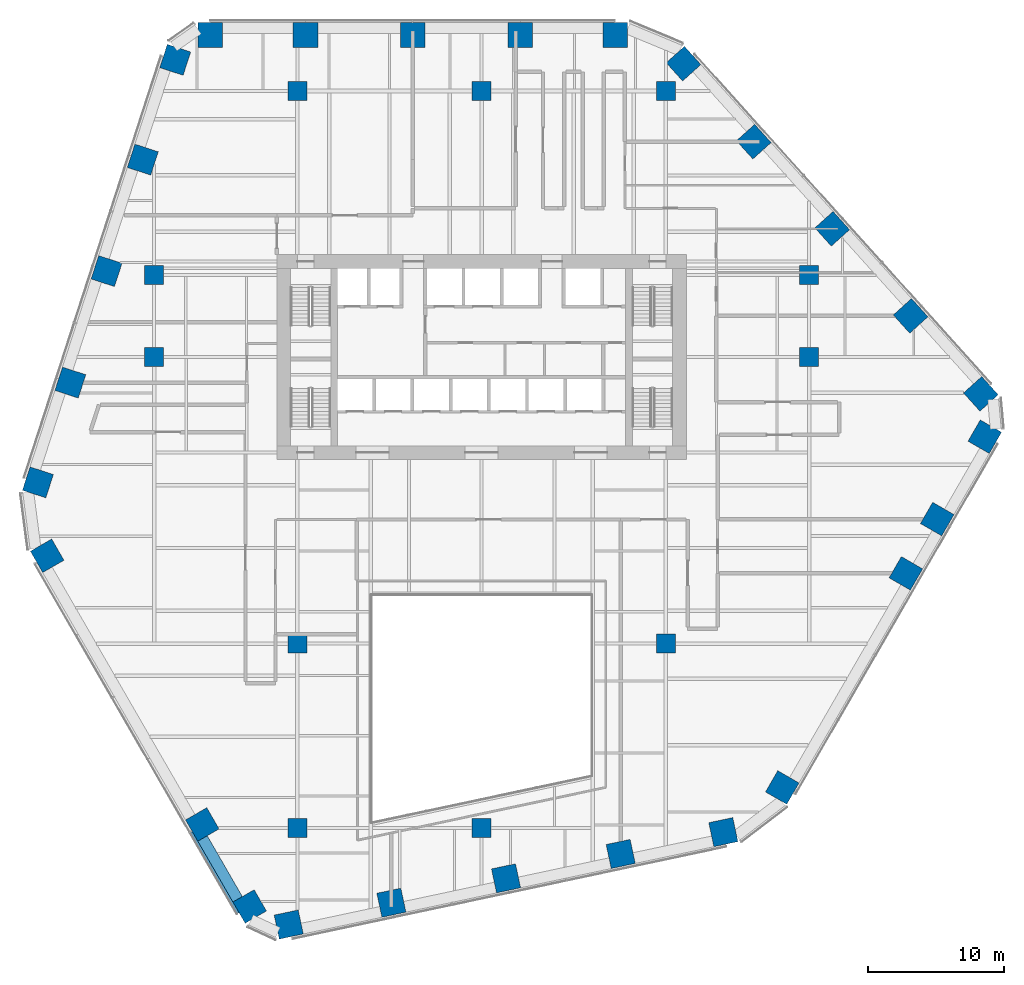
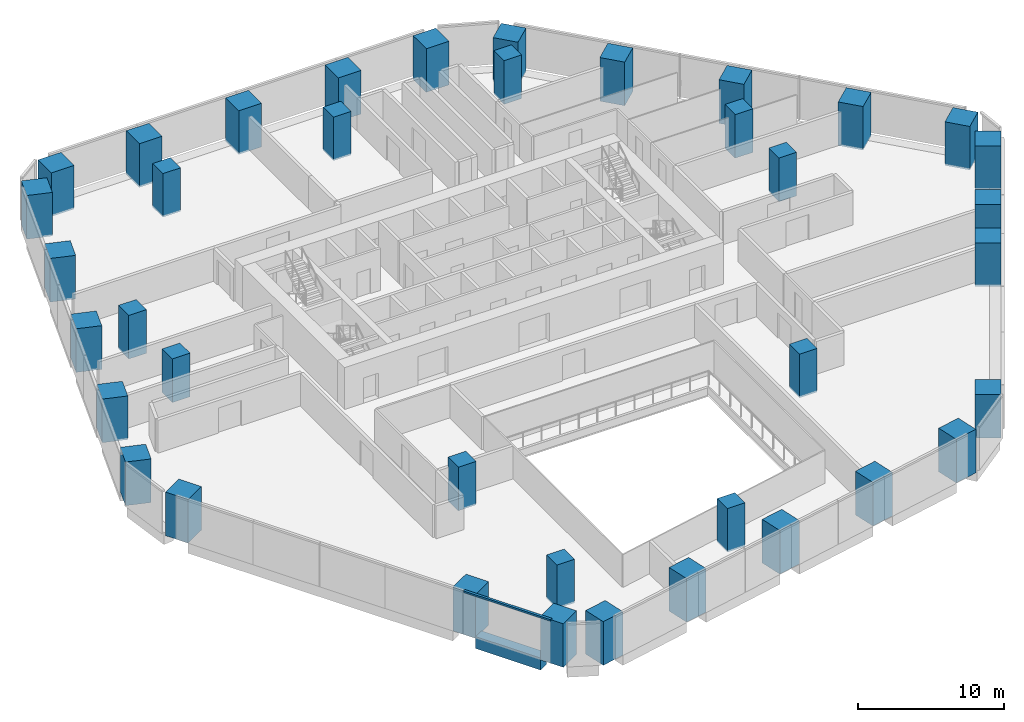
# One storey, part 1 of 21: 38 columns, 1 beam, 1 member, 1 element without a shape of its own.
"""IFC4 building model written with IfcOpenShell, lengths in metres."""

from ifc_helpers import new_model, si_unit, direction, frame, origin, origin_2d, place, context, subcontext, project, spatial, rectangle, extrude, material, layer, layer_set, material_profile, profile_set, type_object, element, aggregate, save


model = new_model("IFC4")

# Units and contexts
model_context = context("Model", 3, precision=1e-05, world=origin(), true_north=direction((0.0, 1.0)))
body_context = subcontext(model_context, "Body", "Model", "MODEL_VIEW")
ifc_project = project(units=[si_unit("LENGTHUNIT", "METRE"), si_unit("AREAUNIT", "SQUARE_METRE"), si_unit("VOLUMEUNIT", "CUBIC_METRE"), si_unit("PLANEANGLEUNIT", "RADIAN"), si_unit("MASSUNIT", "GRAM", prefix="KILO")], contexts=[model_context])

# Site, building, storey
site_placement = place(None, origin())
site = spatial("IfcSite", under=ifc_project, at=site_placement, CompositionType="ELEMENT")
building_placement = place(site_placement, origin())
building = spatial("IfcBuilding", under=site, at=building_placement, Name="Isthmus Gate Tower", CompositionType="ELEMENT")
storey_placement = place(building_placement, frame((0.0, 0.0, 46.949951171875)))
storey = spatial("IfcBuildingStorey", under=building, at=storey_placement, Name="L09", CompositionType="ELEMENT", Elevation=46.949951171875)

# Columns
ifc_material_1 = material(Name="Concrete f'c 70 MPa", Category="concrete")
ifc_material_profile_1 = material_profile(ifc_material_1, rectangle(XDim=1.39990234375, YDim=1.39990234375, at=origin_2d()), Name="RC 1400X1400")
ifc_profile_set_1 = profile_set([ifc_material_profile_1], Name="Concrete f'c 70 MPa")
column_type_1 = type_object("IfcColumnType", Name="RC INTERIOR COLUMN 1400 X 1400", PredefinedType="COLUMN", material=ifc_profile_set_1)
for number, where, z_axis, x_axis, name in (
    (1, (-24.0, 7.5, -0.14990234375), (0.0, 0.0, 1.0), (1.0, 0.0, 0.0), "str-icol-L09-ICA3"),
    (2, (-24.0, 13.5, -0.14990234375), (0.0, 0.0, 1.0), (1.0, 0.0, 0.0), "str-icol-L09-ICA4"),
    (3, (-13.5, -27.0, -0.14990234375), (0.0, 0.0, 1.0), (1.0, 0.0, 0.0), "str-icol-L09-ICB1"),
    (4, (-13.5, -13.5, -0.14990234375), (0.0, 0.0, 1.0), (1.0, 0.0, 0.0), "str-icol-L09-ICB2"),
    (5, (-13.5, 27.0, -0.14990234375), (0.0, 0.0, 1.0), (1.0, 0.0, 0.0), "str-icol-L09-ICB5"),
    (6, (0.0, -27.0, -0.14990234375), (0.0, 0.0, 1.0), (1.0, 0.0, 0.0), "str-icol-L09-ICC1"),
    (7, (0.0, 27.0, -0.14990234375), (0.0, 0.0, 1.0), (1.0, 0.0, 0.0), "str-icol-L09-ICC5"),
    (8, (13.5, -13.5, -0.14990234375), (0.0, 0.0, 1.0), (1.0, 0.0, 0.0), "str-icol-L09-ICD2"),
    (9, (13.5, 27.0, -0.14990234375), (0.0, 0.0, 1.0), (1.0, 0.0, 0.0), "str-icol-L09-ICD5"),
    (10, (24.0, 7.5, -0.14990234375), (0.0, 0.0, 1.0), (1.0, 0.0, 0.0), "str-icol-L09-ICE3"),
    (11, (24.0, 13.5, -0.14990234375), (0.0, 0.0, 1.0), (1.0, 0.0, 0.0), "str-icol-L09-ICE4"),
):
    element("IfcColumn", number, at=place(storey_placement, frame(where, z_axis=z_axis, x_axis=x_axis)), inside=storey, type_object=column_type_1, Name=name, PredefinedType="COLUMN", context=body_context, shape_type="SweptSolid", body=[
        extrude(rectangle(XDim=1.39990234375, YDim=1.39990234375, at=origin_2d()), origin(), (0.0, 0.0, 1.0), 3.64990234375),
    ])
ifc_material_2 = material(Name="Concrete f'c 70 MPa", Category="concrete")
ifc_material_profile_2 = material_profile(ifc_material_2, rectangle(XDim=1.800048828125, YDim=1.800048828125, at=origin_2d()), Name="RC 1800X1800")
ifc_profile_set_2 = profile_set([ifc_material_profile_2], Name="Concrete f'c 70 MPa")
column_type_2 = type_object("IfcColumnType", Name="RC TUBE COLUMN 1800 X 1800", PredefinedType="COLUMN", material=ifc_profile_set_2)
for number, where, z_axis, x_axis, name in (
    (12, (9.8017578125, 31.10009765625, -0.14990234375), (0.0, 0.0, 1.0), (-1.0, 0.0, 0.0), "str-tcol-L09-T1N0"),
    (13, (2.832275390625, 31.10009765625, -0.14990234375), (0.0, 0.0, 1.0), (-1.0, 0.0, 0.0), "str-tcol-L09-T1N1"),
    (14, (-5.037109375, 31.10009765625, -0.14990234375), (0.0, 0.0, 1.0), (-1.0, 0.0, 0.0), "str-tcol-L09-T1N2"),
    (15, (-12.90673828125, 31.10009765625, -0.14990234375), (0.0, 0.0, 1.0), (-1.0, 0.0, 0.0), "str-tcol-L09-T1N3"),
    (16, (-19.876220703125, 31.10009765625, -0.14990234375), (0.0, 0.0, 1.0), (-1.0, 0.0, 0.0), "str-tcol-L09-T1N4"),
    (17, (-22.451171875, 29.281005859375, -0.14990234375), (0.0, 0.0, 1.0), (-0.309016994375, -0.951056516295, 0.0), "str-tcol-L09-T1NW0"),
    (18, (-24.827392578125, 21.9677734375, -0.14990234375), (0.0, 0.0, 1.0), (-0.309016994375, -0.951056516295, 0.0), "str-tcol-L09-T1NW1"),
    (19, (-27.481689453125, 13.798828125, -0.14990234375), (0.0, 0.0, 1.0), (-0.309016994375, -0.951056516295, 0.0), "str-tcol-L09-T1NW2"),
    (20, (-30.135986328125, 5.6298828125, -0.14990234375), (0.0, 0.0, 1.0), (-0.309016994375, -0.951056516295, 0.0), "str-tcol-L09-T1NW3"),
    (21, (-32.511962890625, -1.68310546875, -0.14990234375), (0.0, 0.0, 1.0), (-0.309016994375, -0.951056516295, 0.0), "str-tcol-L09-T1NW4"),
    (22, (-31.834228515625, -7.061279296875, -0.14990234375), (0.0, 0.0, 1.0), (0.5, -0.866025403784, 0.0), "str-tcol-L09-T1SW0"),
    (23, (-20.467041015625, -26.75, -0.14990234375), (0.0, 0.0, 1.0), (0.5, -0.866025403784, 0.0), "str-tcol-L09-T1SW2"),
    (24, (-16.995361328125, -32.763427734375, -0.14990234375), (0.0, 0.0, 1.0), (0.5, -0.866025403784, 0.0), "str-tcol-L09-T1SW3"),
    (25, (-14.13232421875, -34.083740234375, -0.14990234375), (0.0, 0.0, 1.0), (0.978147600734, 0.207911690818, 0.0), "str-tcol-L09-T1S0"),
    (26, (-6.611083984375, -32.485107421875, -0.14990234375), (0.0, 0.0, 1.0), (0.978147600734, 0.207911690818, 0.0), "str-tcol-L09-T1S1"),
    (27, (1.79052734375, -30.69921875, -0.14990234375), (0.0, 0.0, 1.0), (0.978147600734, 0.207911690818, 0.0), "str-tcol-L09-T1S2"),
    (28, (10.192138671875, -28.91357421875, -0.14990234375), (0.0, 0.0, 1.0), (0.978147600734, 0.207911690818, 0.0), "str-tcol-L09-T1S3"),
    (29, (17.713623046875, -27.314697265625, -0.14990234375), (0.0, 0.0, 1.0), (0.978147600734, 0.207911690818, 0.0), "str-tcol-L09-T1S4"),
    (30, (22.032470703125, -24.03857421875, -0.14990234375), (0.0, 0.0, 1.0), (0.5, 0.866025403784, 0.0), "str-tcol-L09-T1SE0"),
    (31, (31.09033203125, -8.35009765625, -0.14990234375), (0.0, 0.0, 1.0), (0.5, 0.866025403784, 0.0), "str-tcol-L09-T1SE1"),
    (32, (33.38671875, -4.37255859375, -0.14990234375), (0.0, 0.0, 1.0), (0.5, 0.866025403784, 0.0), "str-tcol-L09-T1SE2"),
    (33, (36.87158203125, 1.663330078125, -0.14990234375), (0.0, 0.0, 1.0), (0.5, 0.866025403784, 0.0), "str-tcol-L09-T1SE3"),
    (34, (36.583740234375, 4.802978515625, -0.14990234375), (0.0, 0.0, 1.0), (-0.669130606359, 0.743144825477, 0.0), "str-tcol-L09-T1NE0"),
    (35, (31.4384765625, 10.517333984375, -0.14990234375), (0.0, 0.0, 1.0), (-0.669130606359, 0.743144825477, 0.0), "str-tcol-L09-T1NE1"),
    (36, (25.691162109375, 16.900390625, -0.14990234375), (0.0, 0.0, 1.0), (-0.669130606359, 0.743144825477, 0.0), "str-tcol-L09-T1NE2"),
    (37, (19.943603515625, 23.283447265625, -0.14990234375), (0.0, 0.0, 1.0), (-0.669130606359, 0.743144825477, 0.0), "str-tcol-L09-T1NE3"),
    (38, (14.798583984375, 28.997802734375, -0.14990234375), (0.0, 0.0, 1.0), (-0.669130606359, 0.743144825477, 0.0), "str-tcol-L09-T1NE4"),
):
    element("IfcColumn", number, at=place(storey_placement, frame(where, z_axis=z_axis, x_axis=x_axis)), inside=storey, type_object=column_type_2, Name=name, PredefinedType="COLUMN", context=body_context, shape_type="SweptSolid", body=[
        extrude(rectangle(XDim=1.800048828125, YDim=1.800048828125, at=origin_2d()), origin(), (0.0, 0.0, 1.0), 3.64990234375),
    ])

# Curtain wall, member
ifc_material_3 = material(Name="Aluminium, pale champagne anodised", Category="aluminium")
ifc_layer = layer(ifc_material_3, 0.199951171875)
ifc_layer_set = layer_set([ifc_layer], Name="CW-1 UNITISED CURTAIN WALL 200 DEEP")
curtain_wall_type = type_object("IfcCurtainWallType", Name="CW-1 UNITISED CURTAIN WALL 200 DEEP", PredefinedType="NOTDEFINED", material=ifc_layer_set)
curtain_wall_placement = place(storey_placement, origin())
curtain_wall = element("IfcCurtainWall", 39, at=curtain_wall_placement, inside=storey, type_object=curtain_wall_type, Name="CW-1 SW L09", PredefinedType="NOTDEFINED")
ifc_material_4 = material(Name="Aluminium, pale champagne anodised", Category="aluminium")
ifc_material_profile_3 = material_profile(ifc_material_4, rectangle(XDim=0.199951171875, YDim=0.14990234375, at=origin_2d()), Name="200x150")
ifc_profile_set_3 = profile_set([ifc_material_profile_3], Name="Aluminium, pale champagne anodised")
member_type = type_object("IfcMemberType", Name="CW-1 TRANSOM 200 X 150", PredefinedType="USERDEFINED", material=ifc_profile_set_3)
member_placement = place(storey_placement, frame((-21.302978515625, -27.302001953125, 3.574951171875), z_axis=(0.499980345582, -0.86603675097, 0.0), x_axis=(0.86603675097, 0.499980345582, 0.0)))
member = element("IfcMember", 40, at=member_placement, type_object=member_type, Name="CW-1 transom", ObjectType="TRANSOM", PredefinedType="USERDEFINED", context=body_context, shape_type="SweptSolid", body=[
    extrude(rectangle(XDim=0.199951171875, YDim=0.14990234375, at=origin_2d()), origin(), (0.0, 0.0, 1.0), 6.883544921875),
])
aggregate(curtain_wall, [member])

# Beam
ifc_material_5 = material(Name="Concrete f'c 70 MPa", Category="concrete")
ifc_material_profile_4 = material_profile(ifc_material_5, rectangle(XDim=0.800048828125, YDim=1.0, at=origin_2d()), Name="RC 800X1000")
ifc_profile_set_4 = profile_set([ifc_material_profile_4], Name="Concrete f'c 70 MPa")
beam_type = type_object("IfcBeamType", Name="RC SPANDREL 800 X 1000", PredefinedType="SPANDREL", material=ifc_profile_set_4)
beam_placement = place(storey_placement, frame((-17.878173828125, -32.23388671875, -0.5), z_axis=(-0.500044296292, 0.865999827798, 0.0), x_axis=(-0.865999827798, -0.500044296292, 0.0)))
element("IfcBeam", 41, at=beam_placement, inside=storey, type_object=beam_type, Name="str-spandrel-L09-15", PredefinedType="SPANDREL", context=body_context, shape_type="SweptSolid", body=[
    extrude(rectangle(XDim=0.800048828125, YDim=1.0, at=origin_2d()), origin(), (0.0, 0.0, 1.0), 5.1435546875),
])

save(model, "model.ifc")
